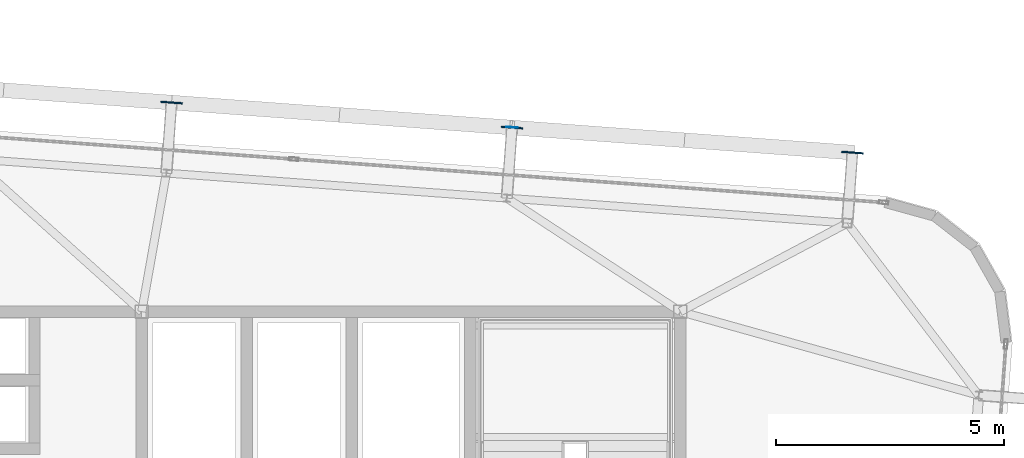
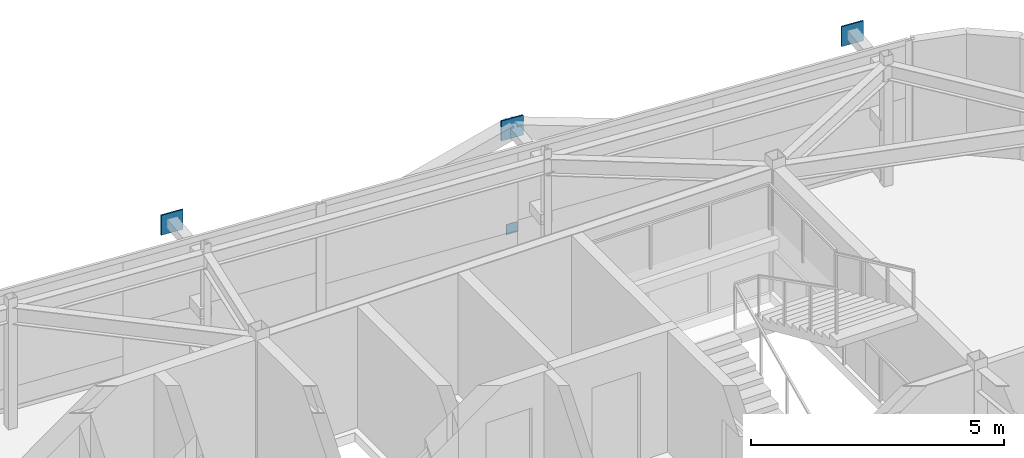
# One storey, part 30 of 34: 4 plates.
"""IFC4 building model written with IfcOpenShell, lengths in metres."""

import ifcopenshell
import ifcopenshell.guid

model = None  # the IFC model being written
_history = None  # IfcOwnerHistory: only IFC2X3 demands one
_inside = {}  # id of a spatial element -> (the spatial element, [elements in it])
_under = {}  # id of a project, library or spatial element -> (it, [spatial elements below it])
_declared = {}  # id of a project -> (the project, [libraries it declares])
_typed = {}  # id of a type object -> (the type object, [elements of that type])
_made_of = {}  # id of a material, layer set ... -> (it, [elements and type objects made of it])


def new_model(schema):
    """Start an empty IFC model of exactly this schema.

    Asked for "IFC4X3", IfcOpenShell would pick the latest addendum, in which some entities
    have other attributes; the version numbers below select the first issue.
    IFC2X3 requires an IfcOwnerHistory on every rooted entity: one is made here for all.
    """
    global model, _history
    if schema == "IFC4X3":
        model = ifcopenshell.file(schema_version=(4, 3, 0, 0))
    else:
        model = ifcopenshell.file(schema=schema)
    _inside.clear()
    _under.clear()
    _declared.clear()
    _typed.clear()
    _made_of.clear()
    _history = None
    if model.schema == "IFC2X3":
        org = make("IfcOrganization", Name="unknown")
        user = make(
            "IfcPersonAndOrganization",
            ThePerson=make("IfcPerson", FamilyName="unknown"),
            TheOrganization=org,
        )
        app = make(
            "IfcApplication",
            ApplicationDeveloper=org,
            Version="unknown",
            ApplicationFullName="unknown",
            ApplicationIdentifier="unknown",
        )
        _history = make(
            "IfcOwnerHistory",
            OwningUser=user,
            OwningApplication=app,
            ChangeAction="ADDED",
            CreationDate=0,
        )
    return model


def make(cls, **values):
    """One entity of the class cls with the attributes given. An attribute that is None is left unset."""
    return model.create_entity(
        cls, **{name: value for name, value in values.items() if value is not None}
    )


def rooted(cls, **values):
    """An entity with a GlobalId (a new one), such as an element, a storey or a relation."""
    return make(cls, GlobalId=ifcopenshell.guid.new(), OwnerHistory=_history, **values)


def si_unit(unit_type, name, prefix=None):
    """IfcSIUnit, for example si_unit("LENGTHUNIT", "METRE", prefix="MILLI")."""
    return make("IfcSIUnit", UnitType=unit_type, Prefix=prefix, Name=name)


def assignment(units):
    """IfcUnitAssignment: the units of a project."""
    return None if units is None else make("IfcUnitAssignment", Units=units)


def point(xyz):
    """IfcCartesianPoint."""
    return None if xyz is None else make("IfcCartesianPoint", Coordinates=xyz)


def direction(xyz):
    """IfcDirection."""
    return None if xyz is None else make("IfcDirection", DirectionRatios=xyz)


def frame(location, z_axis=None, x_axis=None):
    """IfcAxis2Placement3D, a coordinate frame: its origin and axes. An axis left out is left unset."""
    return make(
        "IfcAxis2Placement3D",
        Location=point(location),
        Axis=direction(z_axis),
        RefDirection=direction(x_axis),
    )


def frame_2d(location, x_axis=None):
    """IfcAxis2Placement2D, a coordinate frame in the plane: its origin and x axis."""
    return make(
        "IfcAxis2Placement2D", Location=point(location), RefDirection=direction(x_axis)
    )


def origin():
    """The frame at (0, 0, 0) with its axes left unset."""
    return frame((0.0, 0.0, 0.0))


def origin_2d():
    """The frame at (0, 0) in the plane with its x axis left unset."""
    return frame_2d((0.0, 0.0))


def place(relative_to, where):
    """IfcLocalPlacement: puts the frame where relative to a parent placement (None: the world)."""
    return make(
        "IfcLocalPlacement", PlacementRelTo=relative_to, RelativePlacement=where
    )


def context(
    kind, dimensions, precision=None, world=None, true_north=None, identifier=None
):
    """IfcGeometricRepresentationContext, for example the 3D "Model" context."""
    return make(
        "IfcGeometricRepresentationContext",
        ContextIdentifier=identifier,
        ContextType=kind,
        CoordinateSpaceDimension=dimensions,
        Precision=precision,
        WorldCoordinateSystem=world,
        TrueNorth=true_north,
    )


def subcontext(parent, identifier, kind, view, scale=None):
    """IfcGeometricRepresentationSubContext, for example "Body" below "Model"."""
    return make(
        "IfcGeometricRepresentationSubContext",
        ContextIdentifier=identifier,
        ContextType=kind,
        ParentContext=parent,
        TargetScale=scale,
        TargetView=view,
    )


def project(units=None, contexts=None):
    """IfcProject with its units and contexts."""
    return rooted(
        "IfcProject",
        Name="project",
        RepresentationContexts=contexts,
        UnitsInContext=assignment(units),
    )


def spatial(cls, under=None, at=None, **own):
    """A site, building, storey or space (cls), placed at a placement, below another one or the project."""
    s = rooted(cls, ObjectPlacement=at, **own)
    if under is not None:
        _under.setdefault(under.id(), (under, []))[1].append(s)
    return s


def profile(cls, at=None, kind="AREA", **sizes):
    """A parametric profile (cls). Its sizes go by their IFC names, for example OverallWidth=200.0."""
    return make(cls, ProfileType=kind, Position=at, **sizes)


def rectangle(**sizes):
    """IfcRectangleProfileDef."""
    return profile("IfcRectangleProfileDef", **sizes)


def extrude(swept, where, along, depth):
    """IfcExtrudedAreaSolid: the profile swept, set in the frame where, extruded along a direction by depth."""
    return make(
        "IfcExtrudedAreaSolid",
        SweptArea=swept,
        Position=where,
        ExtrudedDirection=direction(along),
        Depth=depth,
    )


def shape(context_of_items, identifier, shape_type, items):
    """IfcShapeRepresentation: the items that make up one representation, for example the "Body"."""
    return make(
        "IfcShapeRepresentation",
        ContextOfItems=context_of_items,
        RepresentationIdentifier=identifier,
        RepresentationType=shape_type,
        Items=items,
    )


def source(mapping_origin, context_of_items, identifier, shape_type, items):
    """IfcRepresentationMap: a shape defined once, which mapped items show again and again."""
    return make(
        "IfcRepresentationMap",
        MappingOrigin=mapping_origin,
        MappedRepresentation=shape(context_of_items, identifier, shape_type, items),
    )


def transform(
    local_origin,
    x_axis=None,
    y_axis=None,
    z_axis=None,
    scale=None,
    scale2=None,
    scale3=None,
    uniform=True,
):
    """IfcCartesianTransformationOperator3D, or its non-uniform kind. x_axis, y_axis, z_axis: its Axis1, 2, 3."""
    if uniform:
        return make(
            "IfcCartesianTransformationOperator3D",
            Axis1=direction(x_axis),
            Axis2=direction(y_axis),
            LocalOrigin=point(local_origin),
            Scale=scale,
            Axis3=direction(z_axis),
        )
    return make(
        "IfcCartesianTransformationOperator3DnonUniform",
        Axis1=direction(x_axis),
        Axis2=direction(y_axis),
        LocalOrigin=point(local_origin),
        Scale=scale,
        Axis3=direction(z_axis),
        Scale2=scale2,
        Scale3=scale3,
    )


def mapped(mapping_source, mapping_target):
    """IfcMappedItem: shows the shape of a source again, moved by a transform."""
    return make(
        "IfcMappedItem", MappingSource=mapping_source, MappingTarget=mapping_target
    )


def material(Name=None, Category=None):
    """IfcMaterial."""
    return make("IfcMaterial", Name=Name, Category=Category)


def layer(
    of_material, thickness, ventilated=None, Name=None, Category=None, Priority=None
):
    """IfcMaterialLayer: one layer of a wall or slab, of a material (None: an air gap)."""
    return make(
        "IfcMaterialLayer",
        Material=of_material,
        LayerThickness=thickness,
        IsVentilated=ventilated,
        Name=Name,
        Category=Category,
        Priority=Priority,
    )


def layer_set(layers, Name=None):
    """IfcMaterialLayerSet."""
    return make("IfcMaterialLayerSet", MaterialLayers=layers, LayerSetName=Name)


def made_of(thing, what):
    """Note that an element or type object is made of a material, layer set ...; save() writes the relation."""
    if what is not None:
        _made_of.setdefault(what.id(), (what, []))[1].append(thing)
    return thing


def type_object(cls, material=None, **own):
    """A type object (cls), such as IfcWallType, which elements share."""
    return made_of(rooted(cls, **own), material)


def element(
    cls,
    number,
    at=None,
    inside=None,
    cuts=None,
    type_object=None,
    material=None,
    context=None,
    identifier="Body",
    shape_type=None,
    held_by="IfcProductDefinitionShape",
    body=None,
    shapes=None,
    **own,
):
    """One element of the class cls, such as IfcWall. Its Tag is "e" and its number.

    at: its placement. inside: the storey or other place that contains it. cuts: it is an
    opening in that element (IfcRelVoidsElement). A single representation is given by context,
    identifier, shape_type and body (its items); several are given by shapes. held_by: the class
    of the entity that holds the representations. save() writes the other relations.
    """
    e = rooted(cls, Tag="e%d" % number, ObjectPlacement=at, **own)
    if body is not None:
        shapes = [shape(context, identifier, shape_type, body)]
    if shapes is not None:
        e.Representation = make(held_by, Representations=shapes)
    if inside is not None:
        _inside.setdefault(inside.id(), (inside, []))[1].append(e)
    if cuts is not None:
        rooted(
            "IfcRelVoidsElement", RelatingBuildingElement=cuts, RelatedOpeningElement=e
        )
    if type_object is not None:
        _typed.setdefault(type_object.id(), (type_object, []))[1].append(e)
    return made_of(e, material)


def aggregate(whole, parts):
    """IfcRelAggregates: a whole, such as a stair, and the parts it consists of."""
    return rooted("IfcRelAggregates", RelatingObject=whole, RelatedObjects=parts)


def save(model, path):
    """Write the relations noted so far, then the file.

    IfcRelAggregates (storeys below a building ...), IfcRelContainedInSpatialStructure (elements
    in a storey), IfcRelDefinesByType, IfcRelAssociatesMaterial and IfcRelDeclares: one each for
    every whole, place, type object, material and project.
    """
    for whole, parts in _under.values():
        aggregate(whole, parts)
    for where, things in _inside.values():
        rooted(
            "IfcRelContainedInSpatialStructure",
            RelatedElements=things,
            RelatingStructure=where,
        )
    for kind, things in _typed.values():
        rooted("IfcRelDefinesByType", RelatedObjects=things, RelatingType=kind)
    for what, things in _made_of.values():
        rooted("IfcRelAssociatesMaterial", RelatedObjects=things, RelatingMaterial=what)
    for by, libraries in _declared.values():
        rooted("IfcRelDeclares", RelatingContext=by, RelatedDefinitions=libraries)
    model.write(path)


model = new_model("IFC4")

# Units and contexts
model_context = context("Model", 3, precision=1e-05, world=origin(), true_north=direction((0.0, 1.0)))
body_context = subcontext(model_context, "Body", "Model", "MODEL_VIEW")
ifc_project = project(units=[si_unit("LENGTHUNIT", "METRE"), si_unit("AREAUNIT", "SQUARE_METRE"), si_unit("VOLUMEUNIT", "CUBIC_METRE"), si_unit("PLANEANGLEUNIT", "RADIAN"), si_unit("MASSUNIT", "GRAM", prefix="KILO")], contexts=[model_context])

# Site, building, storey
site_placement = place(None, origin())
site = spatial("IfcSite", under=ifc_project, at=site_placement, CompositionType="ELEMENT")
building_placement = place(site_placement, origin())
building = spatial("IfcBuilding", under=site, at=building_placement, Name="Taldren Reach Tower", CompositionType="ELEMENT")
storey_placement = place(building_placement, frame((0.0, 0.0, 239.75)))
storey = spatial("IfcBuildingStorey", under=building, at=storey_placement, Name="L73", CompositionType="ELEMENT", Elevation=239.75)

# Plates
ifc_material_1 = material(Name="Steel Gr 350 (C350L0)", Category="steel")
ifc_layer_1 = layer(ifc_material_1, 0.011962890625)
ifc_layer_set_1 = layer_set([ifc_layer_1], Name="Steel Gr 350 (C350L0)")
plate_type_1 = type_object("IfcPlateType", Name="PL-CAP-250", PredefinedType="SHEET", material=ifc_layer_set_1)
shared_shape_1 = source(origin(), body_context, "Body", "SweptSolid", [
    extrude(rectangle(XDim=0.25, YDim=0.011962890625, at=origin_2d()), origin(), (0.0, 0.0, 1.0), 0.25),
])
plate_placement = place(storey_placement, frame((47.3134765625, 36.039306640625, 0.094970703125), z_axis=(0.0, 0.0, 1.0), x_axis=(0.997314477224, -0.073238197128, 0.0)))
element("IfcPlate", 1, at=plate_placement, inside=storey, type_object=plate_type_1, Name="Tie strut end cap plate B5-N5 L73", PredefinedType="SHEET", context=body_context, shape_type="MappedRepresentation", body=[
    mapped(shared_shape_1, transform((0.0, 0.0, 0.0), scale=1.0)),
])
ifc_material_2 = material(Name="Steel Gr 450 (C450L0)", Category="steel")
ifc_layer_2 = layer(ifc_material_2, 0.031982421875)
ifc_layer_set_2 = layer_set([ifc_layer_2], Name="Steel Gr 450 (C450L0)")
plate_type_2 = type_object("IfcPlateType", Name="PL-GUSSET-32", PredefinedType="SHEET", material=ifc_layer_set_2)
shared_shape_2 = source(origin(), body_context, "Body", "SweptSolid", [
    extrude(rectangle(XDim=0.47998046875, YDim=0.031982421875, at=origin_2d()), origin(), (0.0, 0.0, 1.0), 0.47998046875),
])
for number, where, z_axis, x_axis, name in (
    (2, (39.85302734375, 36.581298828125, 2.409912109375), (0.0, 0.0, 1.0), (0.997314477224, -0.073238197128, 0.0), "Exoskeleton star-node gusset plate B5-N4 L73"),
    (3, (47.31298828125, 36.033447265625, 2.409912109375), (0.0, 0.0, 1.0), (0.997314477224, -0.073238197128, 0.0), "Exoskeleton star-node gusset plate B5-N5 L73"),
    (4, (54.77294921875, 35.485595703125, 2.409912109375), (0.0, 0.0, 1.0), (0.997314477224, -0.073238197128, 0.0), "Exoskeleton star-node gusset plate B5-N6 L73"),
):
    element("IfcPlate", number, at=place(storey_placement, frame(where, z_axis=z_axis, x_axis=x_axis)), inside=storey, type_object=plate_type_2, Name=name, PredefinedType="SHEET", context=body_context, shape_type="MappedRepresentation", body=[
        mapped(shared_shape_2, transform((0.0, 0.0, 0.0), scale=1.0)),
    ])

save(model, "model.ifc")
